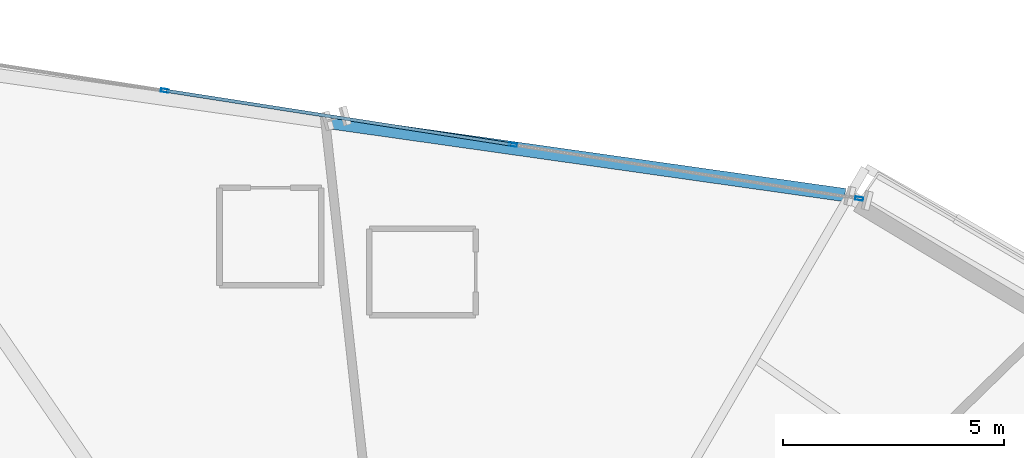
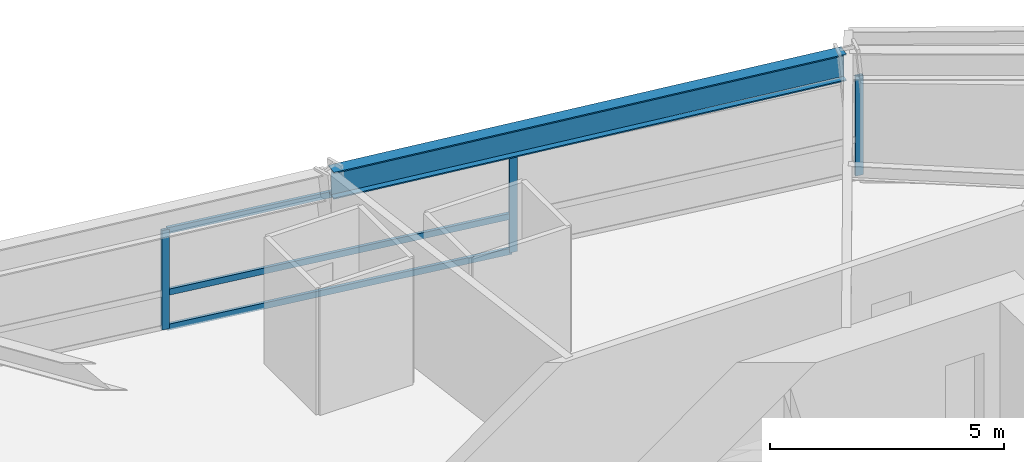
# One storey, part 12 of 22: 6 members, 1 beam, 1 element without a shape of its own.
"""IFC4 building model written with IfcOpenShell, lengths in metres."""

from ifc_helpers import new_model, si_unit, direction, frame, origin, origin_2d, place, context, subcontext, project, spatial, hollow_rectangle, i_section, extrude, source, transform, mapped, material, material_profile, profile_set, type_object, element, aggregate, save


model = new_model("IFC4")

# Units and contexts
model_context = context("Model", 3, precision=1e-05, world=origin(), true_north=direction((0.0, 1.0)))
body_context = subcontext(model_context, "Body", "Model", "MODEL_VIEW")
ifc_project = project(units=[si_unit("LENGTHUNIT", "METRE"), si_unit("AREAUNIT", "SQUARE_METRE"), si_unit("VOLUMEUNIT", "CUBIC_METRE"), si_unit("PLANEANGLEUNIT", "RADIAN"), si_unit("MASSUNIT", "GRAM", prefix="KILO")], contexts=[model_context])

# Site, building, storey
site_placement = place(None, origin())
site = spatial("IfcSite", under=ifc_project, at=site_placement, CompositionType="ELEMENT")
building_placement = place(site_placement, origin())
building = spatial("IfcBuilding", under=site, at=building_placement, Name="Olszyna Solenne Hotel", CompositionType="ELEMENT")
storey_placement = place(building_placement, frame((0.0, 0.0, 50.60009765625)))
storey = spatial("IfcBuildingStorey", under=building, at=storey_placement, Name="L12", CompositionType="ELEMENT", Elevation=50.60009765625)

# Beam
ifc_material_1 = material(Name="Steel S355J2", Category="steel")
ifc_material_profile_1 = material_profile(ifc_material_1, i_section(OverallWidth=0.300048828125, OverallDepth=0.699951171875, WebThickness=0.01708984375, FlangeThickness=0.031982421875, at=origin_2d()), Name="HEB 700", Category="load-bearing")
ifc_profile_set_1 = profile_set([ifc_material_profile_1], Name="Steel S355J2")
beam_type = type_object("IfcBeamType", Name="BM-S1", PredefinedType="BEAM", material=ifc_profile_set_1)
shared_shape_1 = source(origin(), body_context, "Body", "SweptSolid", [
    extrude(i_section(OverallWidth=0.300048828125, OverallDepth=0.699951171875, WebThickness=0.01708984375, FlangeThickness=0.031982421875, at=origin_2d()), origin(), (0.0, 0.0, 1.0), 11.797119140625),
])
beam_placement = place(storey_placement, frame((47.6884765625, 43.4677734375, 2.949951171875), z_axis=(-0.990151286488, 0.14000153523, 0.0), x_axis=(-0.14000153523, -0.990151286488, 0.0)))
element("IfcBeam", 1, at=beam_placement, inside=storey, type_object=beam_type, Name="Perimeter spandrel beam BM-S1 B-L12-0379", PredefinedType="BEAM", context=body_context, shape_type="MappedRepresentation", body=[
    mapped(shared_shape_1, transform((0.0, 0.0, 0.0), x_axis=(1.0, 0.0, 0.0), y_axis=(0.0, 1.0, 0.0), z_axis=(0.0, 0.0, 1.0), scale=1.0)),
])

# Curtain wall, members
ifc_material_2 = material(Name="Anodised bronze aluminium", Category="aluminium")
curtain_wall_type = type_object("IfcCurtainWallType", Name="CW-SYS-2", PredefinedType="NOTDEFINED", material=ifc_material_2)
curtain_wall_placement = place(storey_placement, origin())
curtain_wall = element("IfcCurtainWall", 2, at=curtain_wall_placement, inside=storey, type_object=curtain_wall_type, Name="Unitised curtain wall CW-SYS-2 CW-L12-02", PredefinedType="NOTDEFINED")
ifc_material_profile_2 = material_profile(ifc_material_2, hollow_rectangle(XDim=0.074951171875, YDim=0.179931640625, WallThickness=0.00439453125, at=origin_2d()), Name="MULL 180x75x4.5", Category="load-bearing")
ifc_profile_set_2 = profile_set([ifc_material_profile_2], Name="Anodised bronze aluminium")
member_type_1 = type_object("IfcMemberType", Name="CW-M2", PredefinedType="MULLION", material=ifc_profile_set_2)
shared_shape_2 = source(origin(), body_context, "Body", "SweptSolid", [
    extrude(hollow_rectangle(XDim=0.074951171875, YDim=0.179931640625, WallThickness=0.00439453125, at=origin_2d()), origin(), (0.0, 0.0, 1.0), 2.591796875),
])
member_1_placement = place(storey_placement, frame((32.327392578125, 45.8271484375, 0.0), z_axis=(0.0, 0.0, 1.0), x_axis=(0.15367373329, 0.98812164418, 0.0)))
member_1 = element("IfcMember", 3, at=member_1_placement, type_object=member_type_1, Name="Curtain-wall mullion CW-M2 CM-L12-02-02", PredefinedType="MULLION", context=body_context, shape_type="MappedRepresentation", body=[
    mapped(shared_shape_2, transform((0.0, 0.0, 0.0), x_axis=(1.0, 0.0, 0.0), y_axis=(0.0, 1.0, 0.0), z_axis=(0.0, 0.0, 1.0), scale=1.0)),
])
member_2_placement = place(storey_placement, frame((40.1884765625, 44.604736328125, 0.0), z_axis=(0.0, 0.0, 1.0), x_axis=(0.15367373329, 0.98812164418, 0.0)))
member_2 = element("IfcMember", 4, at=member_2_placement, type_object=member_type_1, Name="Curtain-wall mullion CW-M2 CM-L12-02-03", PredefinedType="MULLION", context=body_context, shape_type="MappedRepresentation", body=[
    mapped(shared_shape_2, transform((0.0, 0.0, 0.0), x_axis=(1.0, 0.0, 0.0), y_axis=(0.0, 1.0, 0.0), z_axis=(0.0, 0.0, 1.0), scale=1.0)),
])
member_3_placement = place(storey_placement, frame((48.012451171875, 43.387939453125, 0.0), z_axis=(0.0, 0.0, 1.0), x_axis=(0.15367373329, 0.98812164418, 0.0)))
member_3 = element("IfcMember", 5, at=member_3_placement, type_object=member_type_1, Name="Curtain-wall mullion CW-M2 CM-L12-02-04", PredefinedType="MULLION", context=body_context, shape_type="MappedRepresentation", body=[
    mapped(shared_shape_2, transform((0.0, 0.0, 0.0), x_axis=(1.0, 0.0, 0.0), y_axis=(0.0, 1.0, 0.0), z_axis=(0.0, 0.0, 1.0), scale=1.0)),
])
ifc_material_profile_3 = material_profile(ifc_material_2, hollow_rectangle(XDim=0.074951171875, YDim=0.159912109375, WallThickness=0.00390625, at=origin_2d()), Name="TRAN 160x75x4", Category="load-bearing")
ifc_profile_set_3 = profile_set([ifc_material_profile_3], Name="Anodised bronze aluminium")
member_type_2 = type_object("IfcMemberType", Name="CW-T1", PredefinedType="USERDEFINED", material=ifc_profile_set_3)
shared_shape_3 = source(origin(), body_context, "Body", "SweptSolid", [
    extrude(hollow_rectangle(XDim=0.074951171875, YDim=0.159912109375, WallThickness=0.00390625, at=origin_2d()), origin(), (0.0, 0.0, 1.0), 7.880859375),
])
member_4_placement = place(storey_placement, frame((32.3642578125, 45.821533203125, 0.037353515625), z_axis=(0.988119291888, -0.153688857758, 0.0), x_axis=(0.153688857758, 0.988119291888, 0.0)))
member_4 = element("IfcMember", 6, at=member_4_placement, type_object=member_type_2, Name="Curtain-wall transom CW-T1 CT-L12-02-04", ObjectType="TRANSOM", PredefinedType="USERDEFINED", context=body_context, shape_type="MappedRepresentation", body=[
    mapped(shared_shape_3, transform((0.0, 0.0, 0.0), x_axis=(1.0, 0.0, 0.0), y_axis=(0.0, 1.0, 0.0), z_axis=(0.0, 0.0, 1.0), scale=1.0)),
])
member_5_placement = place(storey_placement, frame((32.3642578125, 45.821533203125, 0.949951171875), z_axis=(0.988119291888, -0.153688857758, 0.0), x_axis=(0.153688857758, 0.988119291888, 0.0)))
member_5 = element("IfcMember", 7, at=member_5_placement, type_object=member_type_2, Name="Curtain-wall transom CW-T1 CT-L12-02-05", ObjectType="TRANSOM", PredefinedType="USERDEFINED", context=body_context, shape_type="MappedRepresentation", body=[
    mapped(shared_shape_3, transform((0.0, 0.0, 0.0), x_axis=(1.0, 0.0, 0.0), y_axis=(0.0, 1.0, 0.0), z_axis=(0.0, 0.0, 1.0), scale=1.0)),
])
member_6_placement = place(storey_placement, frame((32.3642578125, 45.821533203125, 2.554443359375), z_axis=(0.988119291888, -0.153688857758, 0.0), x_axis=(0.153688857758, 0.988119291888, 0.0)))
member_6 = element("IfcMember", 8, at=member_6_placement, type_object=member_type_2, Name="Curtain-wall transom CW-T1 CT-L12-02-06", ObjectType="TRANSOM", PredefinedType="USERDEFINED", context=body_context, shape_type="MappedRepresentation", body=[
    mapped(shared_shape_3, transform((0.0, 0.0, 0.0), x_axis=(1.0, 0.0, 0.0), y_axis=(0.0, 1.0, 0.0), z_axis=(0.0, 0.0, 1.0), scale=1.0)),
])
aggregate(curtain_wall, [member_1, member_2, member_3, member_4, member_5, member_6])

save(model, "model.ifc")
